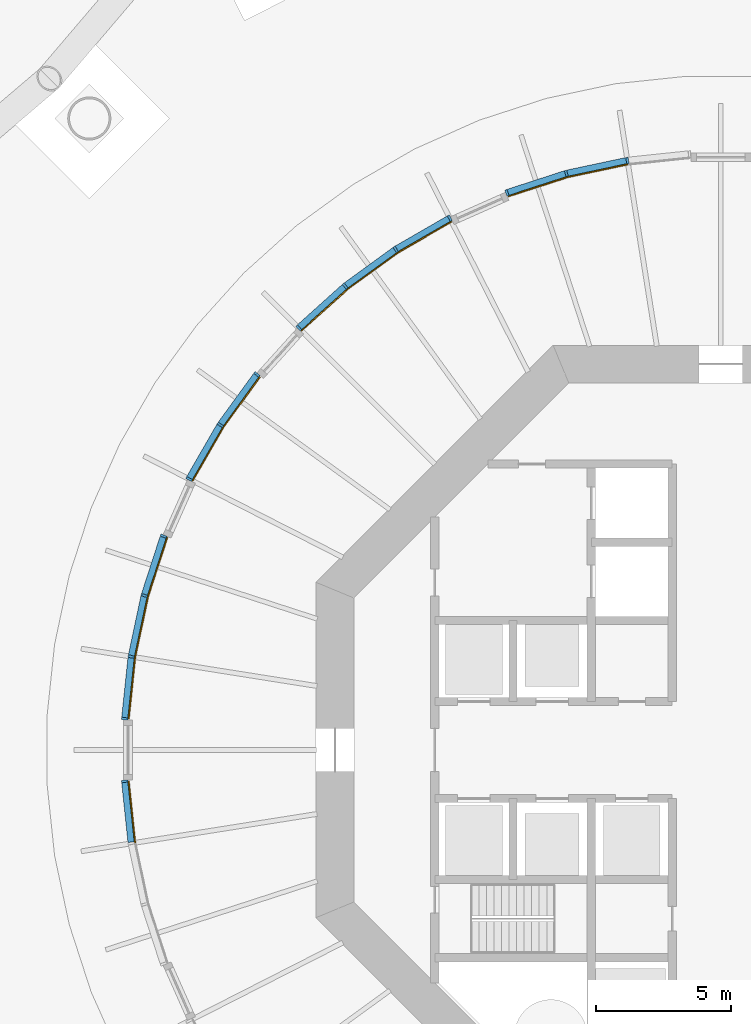
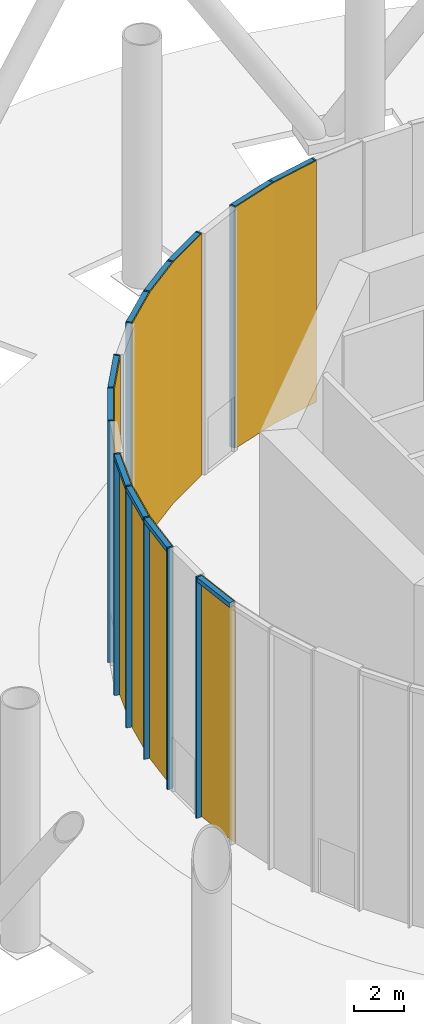
# One storey, part 9 of 12: 26 members, 6 curtain walls.
"""IFC4 building model written with IfcOpenShell, lengths in metres."""

from ifc_helpers import new_model, si_unit, direction, frame, origin, origin_2d, place, context, subcontext, project, spatial, polyline, rectangle, outline, extrude, material, layer, layer_set, material_profile, profile_set, type_object, element, aggregate, save


model = new_model("IFC4")

# Units and contexts
model_context = context("Model", 3, precision=1e-05, world=origin(), true_north=direction((0.0, 1.0)))
body_context = subcontext(model_context, "Body", "Model", "MODEL_VIEW")
ifc_project = project(units=[si_unit("LENGTHUNIT", "METRE"), si_unit("AREAUNIT", "SQUARE_METRE"), si_unit("VOLUMEUNIT", "CUBIC_METRE"), si_unit("PLANEANGLEUNIT", "RADIAN"), si_unit("MASSUNIT", "GRAM", prefix="KILO")], contexts=[model_context])

# Member
ifc_material_1 = material(Name="Anodised aluminium", Category="aluminium")
ifc_material_profile_1 = material_profile(ifc_material_1, rectangle(XDim=0.080078125, YDim=0.239990234375, at=origin_2d()), Name="Mullion 80 x 240 mm anodised aluminium")
ifc_profile_set_1 = profile_set([ifc_material_profile_1], Name="Anodised aluminium")
member_type_1 = type_object("IfcMemberType", Name="Mullion 80 x 240 mm anodised aluminium", PredefinedType="MULLION", material=ifc_profile_set_1)
site_placement = place(None, origin())
building_placement = place(site_placement, origin())
storey_placement = place(building_placement, origin())
member_1_placement = place(storey_placement, frame((86.53955078125, 101.84765625, 0.0), z_axis=(0.0, 0.0, 1.0), x_axis=(-0.987688340595, -0.15643446504, 0.0)))
member_1 = element("IfcMember", 1, at=member_1_placement, type_object=member_type_1, Name="MULLION L00-15", PredefinedType="MULLION", context=body_context, shape_type="SweptSolid", body=[
    extrude(rectangle(XDim=0.080078125, YDim=0.239990234375, at=origin_2d()), origin(), (0.0, 0.0, 1.0), 11.85009765625),
])

member_2_placement = place(storey_placement, frame((84.27490234375, 101.3662109375, 0.0), z_axis=(0.0, 0.0, 1.0), x_axis=(-0.965925826289, -0.258819045103, 0.0)))
member_2 = element("IfcMember", 2, at=member_2_placement, type_object=member_type_1, Name="MULLION L00-16", PredefinedType="MULLION", context=body_context, shape_type="SweptSolid", body=[
    extrude(rectangle(XDim=0.080078125, YDim=0.239990234375, at=origin_2d()), origin(), (0.0, 0.0, 1.0), 11.85009765625),
])

member_3_placement = place(storey_placement, frame((82.072998046875, 100.65087890625, 0.0), z_axis=(0.0, 0.0, 1.0), x_axis=(-0.933580426497, -0.358367949545, 0.0)))
member_3 = element("IfcMember", 3, at=member_3_placement, type_object=member_type_1, Name="MULLION L00-17", PredefinedType="MULLION", context=body_context, shape_type="SweptSolid", body=[
    extrude(rectangle(XDim=0.080078125, YDim=0.239990234375, at=origin_2d()), origin(), (0.0, 0.0, 1.0), 11.85009765625),
])

member_4_placement = place(storey_placement, frame((79.957763671875, 99.708984375, 0.0), z_axis=(0.0, 0.0, 1.0), x_axis=(-0.891006524188, -0.45399049974, 0.0)))
member_4 = element("IfcMember", 4, at=member_4_placement, type_object=member_type_1, Name="MULLION L00-18", PredefinedType="MULLION", context=body_context, shape_type="SweptSolid", body=[
    extrude(rectangle(XDim=0.080078125, YDim=0.239990234375, at=origin_2d()), origin(), (0.0, 0.0, 1.0), 11.85009765625),
])

member_5_placement = place(storey_placement, frame((77.95263671875, 98.551513671875, 0.0), z_axis=(0.0, 0.0, 1.0), x_axis=(-0.838670567945, -0.544639035015, 0.0)))
member_5 = element("IfcMember", 5, at=member_5_placement, type_object=member_type_1, Name="MULLION L00-19", PredefinedType="MULLION", context=body_context, shape_type="SweptSolid", body=[
    extrude(rectangle(XDim=0.080078125, YDim=0.239990234375, at=origin_2d()), origin(), (0.0, 0.0, 1.0), 11.85009765625),
])

member_6_placement = place(storey_placement, frame((76.079345703125, 97.1904296875, 0.0), z_axis=(0.0, 0.0, 1.0), x_axis=(-0.777145961457, -0.62932039105, 0.0)))
member_6 = element("IfcMember", 6, at=member_6_placement, type_object=member_type_1, Name="MULLION L00-20", PredefinedType="MULLION", context=body_context, shape_type="SweptSolid", body=[
    extrude(rectangle(XDim=0.080078125, YDim=0.239990234375, at=origin_2d()), origin(), (0.0, 0.0, 1.0), 11.85009765625),
])

member_7_placement = place(storey_placement, frame((74.35888671875, 95.64111328125, 0.0), z_axis=(0.0, 0.0, 1.0), x_axis=(-0.707106781187, -0.707106781187, 0.0)))
member_7 = element("IfcMember", 7, at=member_7_placement, type_object=member_type_1, Name="MULLION L00-21", PredefinedType="MULLION", context=body_context, shape_type="SweptSolid", body=[
    extrude(rectangle(XDim=0.080078125, YDim=0.239990234375, at=origin_2d()), origin(), (0.0, 0.0, 1.0), 11.85009765625),
])

member_8_placement = place(storey_placement, frame((72.8095703125, 93.920654296875, 0.0), z_axis=(0.0, 0.0, 1.0), x_axis=(-0.62932039105, -0.777145961457, 0.0)))
member_8 = element("IfcMember", 8, at=member_8_placement, type_object=member_type_1, Name="MULLION L00-22", PredefinedType="MULLION", context=body_context, shape_type="SweptSolid", body=[
    extrude(rectangle(XDim=0.080078125, YDim=0.239990234375, at=origin_2d()), origin(), (0.0, 0.0, 1.0), 11.85009765625),
])

member_9_placement = place(storey_placement, frame((71.448486328125, 92.04736328125, 0.0), z_axis=(0.0, 0.0, 1.0), x_axis=(-0.544639035015, -0.838670567945, 0.0)))
member_9 = element("IfcMember", 9, at=member_9_placement, type_object=member_type_1, Name="MULLION L00-23", PredefinedType="MULLION", context=body_context, shape_type="SweptSolid", body=[
    extrude(rectangle(XDim=0.080078125, YDim=0.239990234375, at=origin_2d()), origin(), (0.0, 0.0, 1.0), 11.85009765625),
])

member_10_placement = place(storey_placement, frame((70.291015625, 90.042236328125, 0.0), z_axis=(0.0, 0.0, 1.0), x_axis=(-0.45399049974, -0.891006524188, 0.0)))
member_10 = element("IfcMember", 10, at=member_10_placement, type_object=member_type_1, Name="MULLION L00-24", PredefinedType="MULLION", context=body_context, shape_type="SweptSolid", body=[
    extrude(rectangle(XDim=0.080078125, YDim=0.239990234375, at=origin_2d()), origin(), (0.0, 0.0, 1.0), 11.85009765625),
])

member_11_placement = place(storey_placement, frame((69.34912109375, 87.927001953125, 0.0), z_axis=(0.0, 0.0, 1.0), x_axis=(-0.358367949545, -0.933580426497, 0.0)))
member_11 = element("IfcMember", 11, at=member_11_placement, type_object=member_type_1, Name="MULLION L00-25", PredefinedType="MULLION", context=body_context, shape_type="SweptSolid", body=[
    extrude(rectangle(XDim=0.080078125, YDim=0.239990234375, at=origin_2d()), origin(), (0.0, 0.0, 1.0), 11.85009765625),
])

member_12_placement = place(storey_placement, frame((68.6337890625, 85.72509765625, 0.0), z_axis=(0.0, 0.0, 1.0), x_axis=(-0.258819045103, -0.965925826289, 0.0)))
member_12 = element("IfcMember", 12, at=member_12_placement, type_object=member_type_1, Name="MULLION L00-26", PredefinedType="MULLION", context=body_context, shape_type="SweptSolid", body=[
    extrude(rectangle(XDim=0.080078125, YDim=0.239990234375, at=origin_2d()), origin(), (0.0, 0.0, 1.0), 11.85009765625),
])

member_13_placement = place(storey_placement, frame((68.15234375, 83.46044921875, 0.0), z_axis=(0.0, 0.0, 1.0), x_axis=(-0.15643446504, -0.987688340595, 0.0)))
member_13 = element("IfcMember", 13, at=member_13_placement, type_object=member_type_1, Name="MULLION L00-27", PredefinedType="MULLION", context=body_context, shape_type="SweptSolid", body=[
    extrude(rectangle(XDim=0.080078125, YDim=0.239990234375, at=origin_2d()), origin(), (0.0, 0.0, 1.0), 11.85009765625),
])

member_14_placement = place(storey_placement, frame((67.910400390625, 81.15771484375, 0.0), z_axis=(0.0, 0.0, 1.0), x_axis=(-0.052335956243, -0.998629534755, 0.0)))
member_14 = element("IfcMember", 14, at=member_14_placement, type_object=member_type_1, Name="MULLION L00-28", PredefinedType="MULLION", context=body_context, shape_type="SweptSolid", body=[
    extrude(rectangle(XDim=0.080078125, YDim=0.239990234375, at=origin_2d()), origin(), (0.0, 0.0, 1.0), 11.85009765625),
])

member_15_placement = place(storey_placement, frame((67.910400390625, 78.84228515625, 0.0), z_axis=(0.0, 0.0, 1.0), x_axis=(0.052335956243, -0.998629534755, 0.0)))
member_15 = element("IfcMember", 15, at=member_15_placement, type_object=member_type_1, Name="MULLION L00-29", PredefinedType="MULLION", context=body_context, shape_type="SweptSolid", body=[
    extrude(rectangle(XDim=0.080078125, YDim=0.239990234375, at=origin_2d()), origin(), (0.0, 0.0, 1.0), 11.85009765625),
])

ifc_material_2 = material(Name="Anodised aluminium", Category="aluminium")
ifc_material_profile_2 = material_profile(ifc_material_2, rectangle(XDim=0.239990234375, YDim=0.219970703125, at=origin_2d()), Name="Transom 220 x 240 mm anodised aluminium")
ifc_profile_set_2 = profile_set([ifc_material_profile_2], Name="Anodised aluminium")
member_type_2 = type_object("IfcMemberType", Name="Transom 220 x 240 mm anodised aluminium", PredefinedType="USERDEFINED", material=ifc_profile_set_2)
member_16_placement = place(storey_placement, frame((86.494384765625, 101.838134765625, 11.739990234375), z_axis=(-0.978148242626, -0.207908670929, 0.0), x_axis=(0.207908670929, -0.978148242626, 0.0)))
member_16 = element("IfcMember", 16, at=member_16_placement, type_object=member_type_2, Name="TRANSOM L00-15", ObjectType="TRANSOM", PredefinedType="USERDEFINED", context=body_context, shape_type="SweptSolid", body=[
    extrude(rectangle(XDim=0.239990234375, YDim=0.219970703125, at=origin_2d()), origin(), (0.0, 0.0, 1.0), 2.222900390625),
])

member_17_placement = place(storey_placement, frame((84.23095703125, 101.35205078125, 11.739990234375), z_axis=(-0.951071998222, -0.308969341841, 0.0), x_axis=(0.308969341841, -0.951071998222, 0.0)))
member_17 = element("IfcMember", 17, at=member_17_placement, type_object=member_type_2, Name="TRANSOM L00-16", ObjectType="TRANSOM", PredefinedType="USERDEFINED", context=body_context, shape_type="SweptSolid", body=[
    extrude(rectangle(XDim=0.239990234375, YDim=0.219970703125, at=origin_2d()), origin(), (0.0, 0.0, 1.0), 2.22265625),
])

member_18_placement = place(storey_placement, frame((79.91748046875, 99.68603515625, 11.739990234375), z_axis=(-0.866017295027, -0.500014044516, 0.0), x_axis=(0.500014044516, -0.866017295027, 0.0)))
member_18 = element("IfcMember", 18, at=member_18_placement, type_object=member_type_2, Name="TRANSOM L00-18", ObjectType="TRANSOM", PredefinedType="USERDEFINED", context=body_context, shape_type="SweptSolid", body=[
    extrude(rectangle(XDim=0.239990234375, YDim=0.219970703125, at=origin_2d()), origin(), (0.0, 0.0, 1.0), 2.22265625),
])

member_19_placement = place(storey_placement, frame((77.9150390625, 98.5244140625, 11.739990234375), z_axis=(-0.809001966412, -0.587805935954, 0.0), x_axis=(0.587805935954, -0.809001966412, 0.0)))
member_19 = element("IfcMember", 19, at=member_19_placement, type_object=member_type_2, Name="TRANSOM L00-19", ObjectType="TRANSOM", PredefinedType="USERDEFINED", context=body_context, shape_type="SweptSolid", body=[
    extrude(rectangle(XDim=0.239990234375, YDim=0.219970703125, at=origin_2d()), origin(), (0.0, 0.0, 1.0), 2.222900390625),
])

member_20_placement = place(storey_placement, frame((76.044921875, 97.15966796875, 11.739990234375), z_axis=(-0.743152131244, -0.669122492394, 0.0), x_axis=(0.669122492394, -0.743152131244, 0.0)))
member_20 = element("IfcMember", 20, at=member_20_placement, type_object=member_type_2, Name="TRANSOM L00-20", ObjectType="TRANSOM", PredefinedType="USERDEFINED", context=body_context, shape_type="SweptSolid", body=[
    extrude(rectangle(XDim=0.239990234375, YDim=0.219970703125, at=origin_2d()), origin(), (0.0, 0.0, 1.0), 2.22265625),
])

member_21_placement = place(storey_placement, frame((72.7822265625, 93.88330078125, 11.739990234375), z_axis=(-0.587805935954, -0.809001966412, 0.0), x_axis=(0.809001966412, -0.587805935954, 0.0)))
member_21 = element("IfcMember", 21, at=member_21_placement, type_object=member_type_2, Name="TRANSOM L00-22", ObjectType="TRANSOM", PredefinedType="USERDEFINED", context=body_context, shape_type="SweptSolid", body=[
    extrude(rectangle(XDim=0.239990234375, YDim=0.219970703125, at=origin_2d()), origin(), (0.0, 0.0, 1.0), 2.222900390625),
])

member_22_placement = place(storey_placement, frame((71.42529296875, 92.00732421875, 11.739990234375), z_axis=(-0.500014044516, -0.866017295027, 0.0), x_axis=(0.866017295027, -0.500014044516, 0.0)))
member_22 = element("IfcMember", 22, at=member_22_placement, type_object=member_type_2, Name="TRANSOM L00-23", ObjectType="TRANSOM", PredefinedType="USERDEFINED", context=body_context, shape_type="SweptSolid", body=[
    extrude(rectangle(XDim=0.239990234375, YDim=0.219970703125, at=origin_2d()), origin(), (0.0, 0.0, 1.0), 2.22265625),
])

member_23_placement = place(storey_placement, frame((69.334716796875, 87.883056640625, 11.739990234375), z_axis=(-0.308969341841, -0.951071998222, 0.0), x_axis=(0.951071998222, -0.308969341841, 0.0)))
member_23 = element("IfcMember", 23, at=member_23_placement, type_object=member_type_2, Name="TRANSOM L00-25", ObjectType="TRANSOM", PredefinedType="USERDEFINED", context=body_context, shape_type="SweptSolid", body=[
    extrude(rectangle(XDim=0.239990234375, YDim=0.219970703125, at=origin_2d()), origin(), (0.0, 0.0, 1.0), 2.22265625),
])

member_24_placement = place(storey_placement, frame((68.6240234375, 85.679931640625, 11.739990234375), z_axis=(-0.207908670929, -0.978148242626, 0.0), x_axis=(0.978148242626, -0.207908670929, 0.0)))
member_24 = element("IfcMember", 24, at=member_24_placement, type_object=member_type_2, Name="TRANSOM L00-26", ObjectType="TRANSOM", PredefinedType="USERDEFINED", context=body_context, shape_type="SweptSolid", body=[
    extrude(rectangle(XDim=0.239990234375, YDim=0.219970703125, at=origin_2d()), origin(), (0.0, 0.0, 1.0), 2.222900390625),
])

member_25_placement = place(storey_placement, frame((68.147216796875, 83.414306640625, 11.739990234375), z_axis=(-0.104450372724, -0.994530099915, 0.0), x_axis=(0.994530099915, -0.104450372724, 0.0)))
member_25 = element("IfcMember", 25, at=member_25_placement, type_object=member_type_2, Name="TRANSOM L00-27", ObjectType="TRANSOM", PredefinedType="USERDEFINED", context=body_context, shape_type="SweptSolid", body=[
    extrude(rectangle(XDim=0.239990234375, YDim=0.219970703125, at=origin_2d()), origin(), (0.0, 0.0, 1.0), 2.222900390625),
])

member_26_placement = place(storey_placement, frame((67.9150390625, 78.79638671875, 11.739990234375), z_axis=(0.104450372724, -0.994530099915, 0.0), x_axis=(0.994530099915, 0.104450372724, 0.0)))
member_26 = element("IfcMember", 26, at=member_26_placement, type_object=member_type_2, Name="TRANSOM L00-29", ObjectType="TRANSOM", PredefinedType="USERDEFINED", context=body_context, shape_type="SweptSolid", body=[
    extrude(rectangle(XDim=0.239990234375, YDim=0.219970703125, at=origin_2d()), origin(), (0.0, 0.0, 1.0), 2.222900390625),
])

# Site, building, storey
site = spatial("IfcSite", under=ifc_project, at=site_placement, CompositionType="ELEMENT")
building = spatial("IfcBuilding", under=site, at=building_placement, Name="Entoto Ring Tower", CompositionType="ELEMENT")
storey = spatial("IfcBuildingStorey", under=building, at=storey_placement, Name="L00", CompositionType="ELEMENT", Elevation=0.0)

# Curtain wall
ifc_material_3 = material(Name="Clear low-iron glass", Category="glass")
ifc_layer = layer(ifc_material_3, 0.0439453125)
ifc_layer_set = layer_set([ifc_layer], Name="Clear low-iron glass")
curtain_wall_type = type_object("IfcCurtainWallType", Name="Curtain wall system CW8 glazing 44 mm", PredefinedType="NOTDEFINED", material=ifc_layer_set)
curtain_wall_1_placement = place(storey_placement, origin())
curtain_wall_1 = element("IfcCurtainWall", 27, at=curtain_wall_1_placement, inside=storey, type_object=curtain_wall_type, Name="CW8 L00-06a", PredefinedType="NOTDEFINED", context=body_context, shape_type="SweptSolid", body=[
    extrude(outline(polyline([(86.558349609375, 101.729248046875), (84.305908203125, 101.25048828125), (82.115966796875, 100.538818359375), (82.131591796875, 100.49755859375), (84.3173828125, 101.207763671875), (86.5654296875, 101.685546875), (86.558349609375, 101.729248046875)])), origin(), (0.0, 0.0, 1.0), 11.85009765625),
])

aggregate(curtain_wall_1, [member_1, member_2, member_3, member_16, member_17])

curtain_wall_2_placement = place(storey_placement, origin())
curtain_wall_2 = element("IfcCurtainWall", 28, at=curtain_wall_2_placement, inside=storey, type_object=curtain_wall_type, Name="CW8 L00-07", PredefinedType="NOTDEFINED", context=body_context, shape_type="SweptSolid", body=[
    extrude(outline(polyline([(80.01220703125, 99.60205078125), (78.017822265625, 98.45068359375), (76.155029296875, 97.09716796875), (74.443603515625, 95.556396484375), (74.474853515625, 95.525146484375), (76.1826171875, 97.06298828125), (78.0419921875, 98.413818359375), (80.0322265625, 99.56298828125), (80.01220703125, 99.60205078125)])), origin(), (0.0, 0.0, 1.0), 11.85009765625),
])

aggregate(curtain_wall_2, [member_4, member_5, member_6, member_7, member_18, member_19, member_20])

curtain_wall_3_placement = place(storey_placement, origin())
curtain_wall_3 = element("IfcCurtainWall", 29, at=curtain_wall_3_placement, inside=storey, type_object=curtain_wall_type, Name="CW8 L00-08a", PredefinedType="NOTDEFINED", context=body_context, shape_type="SweptSolid", body=[
    extrude(outline(polyline([(72.90283203125, 93.844970703125), (71.54931640625, 91.982177734375), (70.39794921875, 89.98779296875), (70.43701171875, 89.9677734375), (71.586181640625, 91.9580078125), (72.93701171875, 93.8173828125), (72.90283203125, 93.844970703125)])), origin(), (0.0, 0.0, 1.0), 11.85009765625),
])

aggregate(curtain_wall_3, [member_8, member_9, member_10, member_21, member_22])

curtain_wall_4_placement = place(storey_placement, origin())
curtain_wall_4 = element("IfcCurtainWall", 30, at=curtain_wall_4_placement, inside=storey, type_object=curtain_wall_type, Name="CW8 L00-09a", PredefinedType="NOTDEFINED", context=body_context, shape_type="SweptSolid", body=[
    extrude(outline(polyline([(69.461181640625, 87.884033203125), (68.74951171875, 85.694091796875), (68.270751953125, 83.441650390625), (68.314453125, 83.4345703125), (68.792236328125, 85.6826171875), (69.50244140625, 87.868408203125), (69.461181640625, 87.884033203125)])), origin(), (0.0, 0.0, 1.0), 11.85009765625),
])

aggregate(curtain_wall_4, [member_11, member_12, member_23, member_24])

curtain_wall_5_placement = place(storey_placement, origin())
curtain_wall_5 = element("IfcCurtainWall", 31, at=curtain_wall_5_placement, inside=storey, type_object=curtain_wall_type, Name="CW8 L00-10a", PredefinedType="NOTDEFINED", context=body_context, shape_type="SweptSolid", body=[
    extrude(outline(polyline([(68.270751953125, 83.441650390625), (68.030029296875, 81.1513671875), (68.07421875, 81.149169921875), (68.314453125, 83.4345703125), (68.270751953125, 83.441650390625)])), origin(), (0.0, 0.0, 1.0), 11.85009765625),
])

aggregate(curtain_wall_5, [member_13, member_14, member_25])

curtain_wall_6_placement = place(storey_placement, origin())
curtain_wall_6 = element("IfcCurtainWall", 32, at=curtain_wall_6_placement, inside=storey, type_object=curtain_wall_type, Name="CW8 L00-10b", PredefinedType="NOTDEFINED", context=body_context, shape_type="SweptSolid", body=[
    extrude(outline(polyline([(68.030029296875, 78.8486328125), (68.270751953125, 76.558349609375), (68.314453125, 76.5654296875), (68.07421875, 78.850830078125), (68.030029296875, 78.8486328125)])), origin(), (0.0, 0.0, 1.0), 11.85009765625),
])

aggregate(curtain_wall_6, [member_15, member_26])

save(model, "model.ifc")
